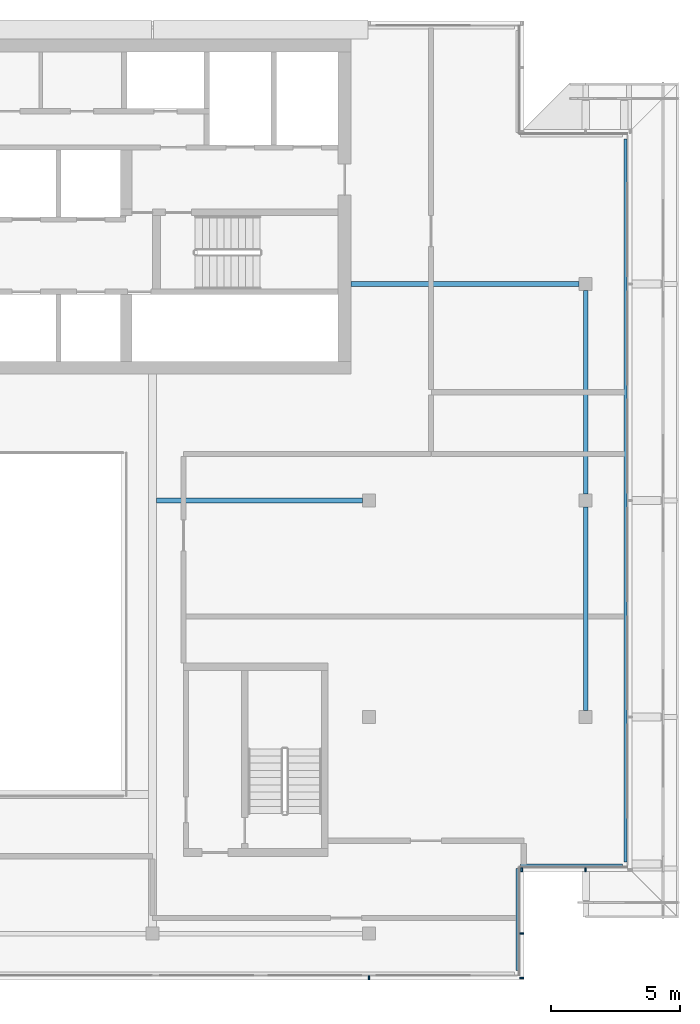
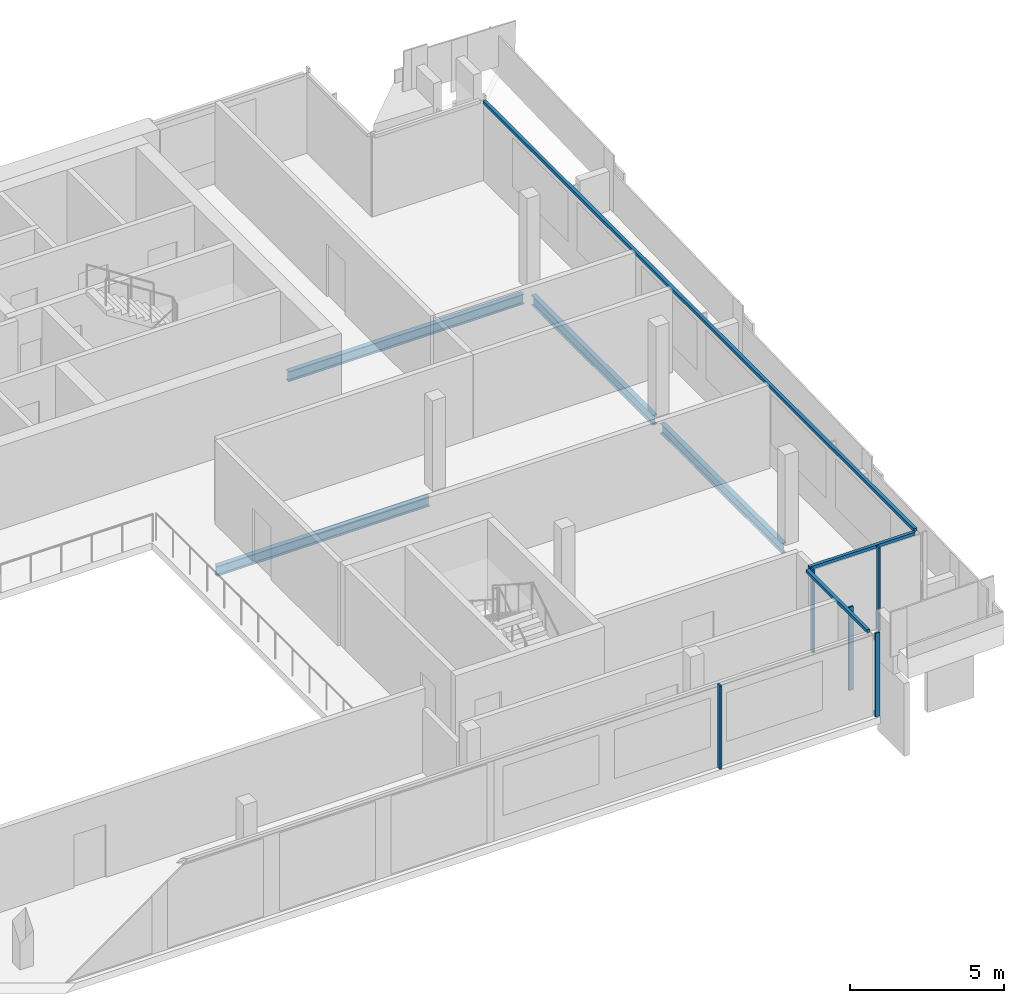
# One storey, part 5 of 20: 8 members, 4 beams, 4 elements without a shape of their own.
"""IFC4 building model written with IfcOpenShell, lengths in metres."""

from ifc_helpers import new_model, si_unit, direction, frame, origin, origin_2d, place, context, subcontext, project, spatial, rectangle, i_section, extrude, material, material_profile, profile_set, type_object, element, aggregate, save


model = new_model("IFC4")

# Units and contexts
model_context = context("Model", 3, precision=1e-05, world=origin(), true_north=direction((0.0, 1.0)))
body_context = subcontext(model_context, "Body", "Model", "MODEL_VIEW")
ifc_project = project(units=[si_unit("LENGTHUNIT", "METRE"), si_unit("AREAUNIT", "SQUARE_METRE"), si_unit("VOLUMEUNIT", "CUBIC_METRE"), si_unit("PLANEANGLEUNIT", "RADIAN"), si_unit("MASSUNIT", "GRAM", prefix="KILO")], contexts=[model_context])

# Site, building, storey
site_placement = place(None, origin())
site = spatial("IfcSite", under=ifc_project, at=site_placement, CompositionType="ELEMENT")
building_placement = place(site_placement, origin())
building = spatial("IfcBuilding", under=site, at=building_placement, Name="Saffron Gate Tower", CompositionType="ELEMENT")
storey_placement = place(building_placement, frame((0.0, 0.0, 303.14990234375)))
storey = spatial("IfcBuildingStorey", under=building, at=storey_placement, Name="L74", CompositionType="ELEMENT", Elevation=303.14990234375)

# Beams
ifc_material_1 = material(Name="Structural steel S355", Category="steel")
ifc_material_profile_1 = material_profile(ifc_material_1, i_section(OverallWidth=0.179931640625, OverallDepth=0.39990234375, WebThickness=0.008544921875, FlangeThickness=0.013427734375, FilletRadius=0.02099609375, at=origin_2d()))
ifc_profile_set_1 = profile_set([ifc_material_profile_1], Name="Structural steel S355")
beam_type_1 = type_object("IfcBeamType", Name="B4 IPE 400", PredefinedType="BEAM", material=ifc_profile_set_1)
beam_1_placement = place(storey_placement, frame((108.35009765625, 57.0, -0.47998046875), z_axis=(-1.0, 0.0, 0.0), x_axis=(0.0, -1.0, 0.0)))
element("IfcBeam", 1, at=beam_1_placement, inside=storey, type_object=beam_type_1, Name="B4 CORE TIE BEAM", PredefinedType="BEAM", context=body_context, shape_type="SweptSolid", body=[
    extrude(i_section(OverallWidth=0.179931640625, OverallDepth=0.39990234375, WebThickness=0.008544921875, FlangeThickness=0.013427734375, FilletRadius=0.02099609375, at=origin_2d()), origin(), (0.0, 0.0, 1.0), 8.0),
])
beam_2_placement = place(storey_placement, frame((116.75, 65.39990234375, -0.47998046875), z_axis=(-1.0, 0.0, 0.0), x_axis=(0.0, -1.0, 0.0)))
element("IfcBeam", 2, at=beam_2_placement, inside=storey, type_object=beam_type_1, Name="B4 CORE TIE BEAM", PredefinedType="BEAM", context=body_context, shape_type="SweptSolid", body=[
    extrude(i_section(OverallWidth=0.179931640625, OverallDepth=0.39990234375, WebThickness=0.008544921875, FlangeThickness=0.013427734375, FilletRadius=0.02099609375, at=origin_2d()), origin(), (0.0, 0.0, 1.0), 8.85009765625),
])
ifc_material_profile_2 = material_profile(ifc_material_1, i_section(OverallWidth=0.179931640625, OverallDepth=0.39990234375, WebThickness=0.008544921875, FlangeThickness=0.013427734375, FilletRadius=0.02099609375, at=origin_2d()))
ifc_profile_set_2 = profile_set([ifc_material_profile_2], Name="Structural steel S355")
beam_type_2 = type_object("IfcBeamType", Name="B5 IPE 400", PredefinedType="SPANDREL", material=ifc_profile_set_2)
for number, where, z_axis, x_axis, name in (
    (3, (117.0, 48.85009765625, -0.47998046875), (0.0, 1.0, 0.0), (-1.0, 0.0, 0.0), "B5 SPANDREL BEAM"),
    (4, (117.0, 57.25, -0.47998046875), (0.0, 1.0, 0.0), (-1.0, 0.0, 0.0), "B5 SPANDREL BEAM"),
):
    element("IfcBeam", number, at=place(storey_placement, frame(where, z_axis=z_axis, x_axis=x_axis)), inside=storey, type_object=beam_type_2, Name=name, PredefinedType="SPANDREL", context=body_context, shape_type="SweptSolid", body=[
        extrude(i_section(OverallWidth=0.179931640625, OverallDepth=0.39990234375, WebThickness=0.008544921875, FlangeThickness=0.013427734375, FilletRadius=0.02099609375, at=origin_2d()), origin(), (0.0, 0.0, 1.0), 7.89990234375),
    ])

# Curtain wall, member
ifc_material_2 = material(Name="Aluminium, bronze anodised", Category="aluminium")
curtain_wall_type_1 = type_object("IfcCurtainWallType", Name="CWS1 curtain wall front facade", PredefinedType="NOTDEFINED", material=ifc_material_2)
curtain_wall_1_placement = place(storey_placement, origin())
curtain_wall_1 = element("IfcCurtainWall", 5, at=curtain_wall_1_placement, inside=storey, type_object=curtain_wall_type_1, Name="CWS1 run 1", PredefinedType="NOTDEFINED")
ifc_material_profile_3 = material_profile(ifc_material_2, rectangle(XDim=0.159912109375, YDim=0.06005859375, at=origin_2d()))
ifc_profile_set_3 = profile_set([ifc_material_profile_3], Name="Aluminium, bronze anodised")
member_type_1 = type_object("IfcMemberType", Name="CWS1 mullion 60x160", PredefinedType="MULLION", material=ifc_profile_set_3)
member_1_placement = place(storey_placement, frame((108.60009765625, 38.47998046875, 0.0), z_axis=(0.0, 0.0, 1.0), x_axis=(0.0, 1.0, 0.0)))
member_1 = element("IfcMember", 6, at=member_1_placement, type_object=member_type_1, Name="CWS1 mullion 7", PredefinedType="MULLION", context=body_context, shape_type="SweptSolid", body=[
    extrude(rectangle(XDim=0.159912109375, YDim=0.06005859375, at=origin_2d()), origin(), (0.0, 0.0, 1.0), 3.320068359375),
])
aggregate(curtain_wall_1, [member_1])

curtain_wall_type_2 = type_object("IfcCurtainWallType", Name="CWS2 curtain wall side facades", PredefinedType="NOTDEFINED", material=ifc_material_2)
curtain_wall_2_placement = place(storey_placement, origin())
curtain_wall_2 = element("IfcCurtainWall", 7, at=curtain_wall_2_placement, inside=storey, type_object=curtain_wall_type_2, Name="CWS2 run 4", PredefinedType="NOTDEFINED")
ifc_material_profile_4 = material_profile(ifc_material_2, rectangle(XDim=0.1201171875, YDim=0.1201171875, at=origin_2d()))
ifc_profile_set_4 = profile_set([ifc_material_profile_4], Name="Aluminium, bronze anodised")
member_type_2 = type_object("IfcMemberType", Name="CWS2 head transom", PredefinedType="USERDEFINED", material=ifc_profile_set_4)
member_2_placement = place(storey_placement, frame((118.552001953125, 42.968017578125, 3.260009765625), z_axis=(0.0, 1.0, 0.0), x_axis=(-1.0, 0.0, 0.0)))
member_2 = element("IfcMember", 8, at=member_2_placement, type_object=member_type_2, Name="CWS2 head transom", ObjectType="TRANSOM", PredefinedType="USERDEFINED", context=body_context, shape_type="SweptSolid", body=[
    extrude(rectangle(XDim=0.1201171875, YDim=0.1201171875, at=origin_2d()), origin(), (0.0, 0.0, 1.0), 28.06396484375),
])
aggregate(curtain_wall_2, [member_2])

curtain_wall_type_3 = type_object("IfcCurtainWallType", Name="CWS4 curtain wall corner returns", PredefinedType="NOTDEFINED", material=ifc_material_2)
curtain_wall_3_placement = place(storey_placement, origin())
curtain_wall_3 = element("IfcCurtainWall", 9, at=curtain_wall_3_placement, inside=storey, type_object=curtain_wall_type_3, Name="CWS4 run 2", PredefinedType="NOTDEFINED")
ifc_material_profile_5 = material_profile(ifc_material_2, rectangle(XDim=0.1201171875, YDim=0.1201171875, at=origin_2d()))
ifc_profile_set_5 = profile_set([ifc_material_profile_5], Name="Aluminium, bronze anodised")
member_type_3 = type_object("IfcMemberType", Name="CWS4 head transom", PredefinedType="USERDEFINED", material=ifc_profile_set_5)
member_3_placement = place(storey_placement, frame((114.35205078125, 38.76806640625, 3.260009765625), z_axis=(0.0, 1.0, 0.0), x_axis=(-1.0, 0.0, 0.0)))
member_3 = element("IfcMember", 10, at=member_3_placement, type_object=member_type_3, Name="CWS4 head transom", ObjectType="TRANSOM", PredefinedType="USERDEFINED", context=body_context, shape_type="SweptSolid", body=[
    extrude(rectangle(XDim=0.1201171875, YDim=0.1201171875, at=origin_2d()), origin(), (0.0, 0.0, 1.0), 3.9599609375),
])

curtain_wall_4_placement = place(storey_placement, origin())
curtain_wall_4 = element("IfcCurtainWall", 11, at=curtain_wall_4_placement, inside=storey, type_object=curtain_wall_type_3, Name="CWS4 run 3", PredefinedType="NOTDEFINED")
member_4_placement = place(storey_placement, frame((114.471923828125, 42.847900390625, 3.260009765625), z_axis=(1.0, 0.0, 0.0), x_axis=(0.0, 1.0, 0.0)))
member_4 = element("IfcMember", 12, at=member_4_placement, type_object=member_type_3, Name="CWS4 head transom", ObjectType="TRANSOM", PredefinedType="USERDEFINED", context=body_context, shape_type="SweptSolid", body=[
    extrude(rectangle(XDim=0.1201171875, YDim=0.1201171875, at=origin_2d()), origin(), (0.0, 0.0, 1.0), 3.9599609375),
])

# Member
ifc_material_profile_6 = material_profile(ifc_material_2, rectangle(XDim=0.159912109375, YDim=0.06005859375, at=origin_2d()))
ifc_profile_set_6 = profile_set([ifc_material_profile_6], Name="Aluminium, bronze anodised")
member_type_4 = type_object("IfcMemberType", Name="CWS4 mullion 60x160", PredefinedType="MULLION", material=ifc_profile_set_6)
member_5_placement = place(storey_placement, frame((114.52001953125, 38.47998046875, 0.0), z_axis=(0.0, 0.0, 1.0), x_axis=(-1.0, 0.0, 0.0)))
member_5 = element("IfcMember", 13, at=member_5_placement, type_object=member_type_4, Name="CWS4 mullion 1", PredefinedType="MULLION", context=body_context, shape_type="SweptSolid", body=[
    extrude(rectangle(XDim=0.159912109375, YDim=0.06005859375, at=origin_2d()), origin(), (0.0, 0.0, 1.0), 3.320068359375),
])

member_6_placement = place(storey_placement, frame((114.52001953125, 40.199951171875, 0.0), z_axis=(0.0, 0.0, 1.0), x_axis=(-1.0, 0.0, 0.0)))
member_6 = element("IfcMember", 14, at=member_6_placement, type_object=member_type_4, Name="CWS4 mullion 2", PredefinedType="MULLION", context=body_context, shape_type="SweptSolid", body=[
    extrude(rectangle(XDim=0.159912109375, YDim=0.06005859375, at=origin_2d()), origin(), (0.0, 0.0, 1.0), 3.320068359375),
])

aggregate(curtain_wall_3, [member_5, member_6, member_3])

member_7_placement = place(storey_placement, frame((114.52001953125, 42.679931640625, 0.0), z_axis=(0.0, 0.0, 1.0), x_axis=(0.0, 1.0, 0.0)))
member_7 = element("IfcMember", 15, at=member_7_placement, type_object=member_type_4, Name="CWS4 mullion 1", PredefinedType="MULLION", context=body_context, shape_type="SweptSolid", body=[
    extrude(rectangle(XDim=0.159912109375, YDim=0.06005859375, at=origin_2d()), origin(), (0.0, 0.0, 1.0), 3.320068359375),
])

member_8_placement = place(storey_placement, frame((117.0, 42.679931640625, 0.0), z_axis=(0.0, 0.0, 1.0), x_axis=(0.0, 1.0, 0.0)))
member_8 = element("IfcMember", 16, at=member_8_placement, type_object=member_type_4, Name="CWS4 mullion 2", PredefinedType="MULLION", context=body_context, shape_type="SweptSolid", body=[
    extrude(rectangle(XDim=0.159912109375, YDim=0.06005859375, at=origin_2d()), origin(), (0.0, 0.0, 1.0), 3.320068359375),
])

aggregate(curtain_wall_4, [member_7, member_8, member_4])

save(model, "model.ifc")
